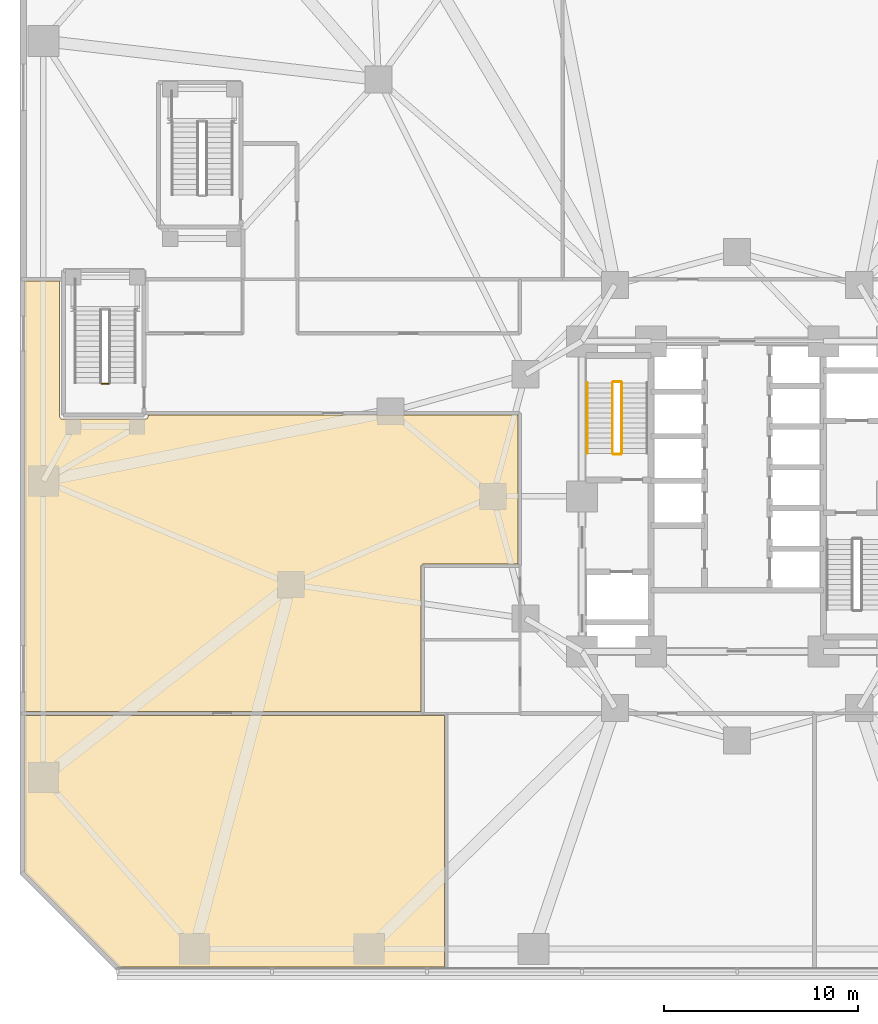
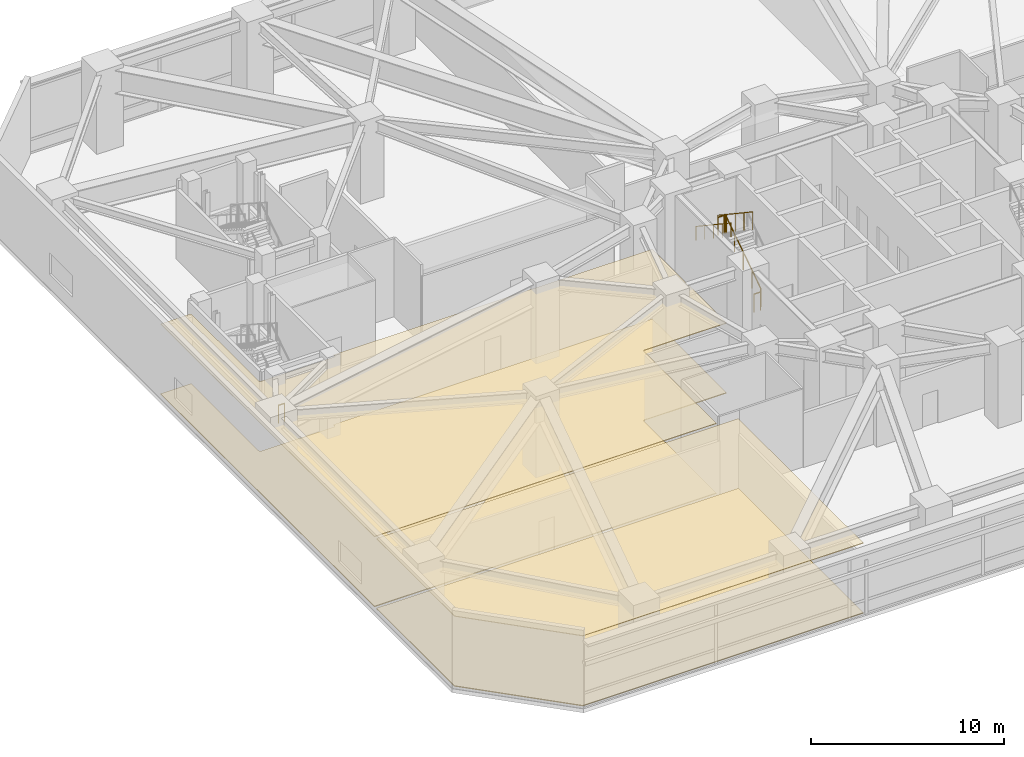
# One storey, part 23 of 28: 6 railings, 4 coverings.
"""IFC4 building model written with IfcOpenShell, lengths in metres."""

from ifc_helpers import new_model, si_unit, direction, frame, origin, origin_2d, place, context, subcontext, project, spatial, polyline, circle, outline, extrude, material, layer, layer_set, type_object, element, save


model = new_model("IFC4")

# Units and contexts
model_context = context("Model", 3, precision=1e-05, world=origin(), true_north=direction((0.0, 1.0)))
body_context = subcontext(model_context, "Body", "Model", "MODEL_VIEW")
ifc_project = project(units=[si_unit("LENGTHUNIT", "METRE"), si_unit("AREAUNIT", "SQUARE_METRE"), si_unit("VOLUMEUNIT", "CUBIC_METRE"), si_unit("PLANEANGLEUNIT", "RADIAN"), si_unit("MASSUNIT", "GRAM", prefix="KILO")], contexts=[model_context])

# Site, building, storey
site_placement = place(None, origin())
site = spatial("IfcSite", under=ifc_project, at=site_placement, CompositionType="ELEMENT")
building_placement = place(site_placement, origin())
building = spatial("IfcBuilding", under=site, at=building_placement, Name="Terralouvre Media Tower", CompositionType="ELEMENT")
storey_placement = place(building_placement, frame((0.0, 0.0, 10.39990234375)))
storey = spatial("IfcBuildingStorey", under=building, at=storey_placement, Name="L02", CompositionType="ELEMENT", Elevation=10.39990234375)

# Coverings
ifc_material_1 = material(Name="Resilient elastomer acoustic broadcast studio flooring")
ifc_layer_1 = layer(ifc_material_1, 0.050048828125, Name="Broadcast Studio Acoustic Floating Floor FL-AC1")
ifc_layer_set_1 = layer_set([ifc_layer_1], Name="Resilient elastomer acoustic broadcast studio flooring")
covering_type_1 = type_object("IfcCoveringType", Name="Broadcast Studio Acoustic Floating Floor FL-AC1", PredefinedType="FLOORING", material=ifc_layer_set_1)
covering_1_placement = place(storey_placement, origin())
element("IfcCovering", 1, at=covering_1_placement, inside=storey, type_object=covering_type_1, Name="L02 L02 Master Control Room 1 Acoustic Floating Floor", PredefinedType="FLOORING", context=body_context, shape_type="SweptSolid", body=[
    extrude(outline(polyline([(-16.300048828125, -3.60009765625), (-16.299560546875, -3.590087890625), (-16.298095703125, -3.58056640625), (-16.295654296875, -3.571044921875), (-16.29248046875, -3.561767578125), (-16.2880859375, -3.552978515625), (-16.283203125, -3.54443359375), (-16.27734375, -3.53662109375), (-16.270751953125, -3.529296875), (-16.263427734375, -3.522705078125), (-16.255615234375, -3.516845703125), (-16.2470703125, -3.51171875), (-16.23828125, -3.507568359375), (-16.22900390625, -3.50439453125), (-16.219482421875, -3.501953125), (-16.209716796875, -3.50048828125), (-16.199951171875, -3.5), (-11.300048828125, -3.5), (-11.300048828125, 4.199951171875), (-30.39990234375, 4.199951171875), (-30.39990234375, 4.10009765625), (-30.400390625, 4.090087890625), (-30.40185546875, 4.08056640625), (-30.404296875, 4.071044921875), (-30.40771484375, 4.061767578125), (-30.411865234375, 4.052978515625), (-30.4169921875, 4.04443359375), (-30.422607421875, 4.03662109375), (-30.42919921875, 4.029296875), (-30.4365234375, 4.022705078125), (-30.4443359375, 4.016845703125), (-30.452880859375, 4.01171875), (-30.461669921875, 4.007568359375), (-30.470947265625, 4.00439453125), (-30.48046875, 4.001953125), (-30.490234375, 4.00048828125), (-30.5, 4.0), (-34.85009765625, 4.0), (-34.85986328125, 4.00048828125), (-34.869384765625, 4.001953125), (-34.87890625, 4.00439453125), (-34.88818359375, 4.007568359375), (-34.897216796875, 4.01171875), (-34.905517578125, 4.016845703125), (-34.913330078125, 4.022705078125), (-34.920654296875, 4.029296875), (-34.92724609375, 4.03662109375), (-34.93310546875, 4.04443359375), (-34.938232421875, 4.052978515625), (-34.9423828125, 4.061767578125), (-34.94580078125, 4.071044921875), (-34.947998046875, 4.08056640625), (-34.949462890625, 4.090087890625), (-34.949951171875, 4.10009765625), (-34.949951171875, 11.10009765625), (-36.780029296875, 11.10009765625), (-36.780029296875, -11.10009765625), (-16.300048828125, -11.10009765625), (-16.300048828125, -3.60009765625)])), origin(), (0.0, 0.0, 1.0), 0.050048828125),
])
covering_2_placement = place(storey_placement, origin())
element("IfcCovering", 2, at=covering_2_placement, inside=storey, type_object=covering_type_1, Name="L02 L02 Studio Production Control Room 2 Acoustic Floating Floor", PredefinedType="FLOORING", context=body_context, shape_type="SweptSolid", body=[
    extrude(outline(polyline([(-15.10009765625, -24.280029296875), (-15.10009765625, -11.300048828125), (-36.780029296875, -11.300048828125), (-36.780029296875, -19.40869140625), (-31.90869140625, -24.280029296875), (-15.10009765625, -24.280029296875)])), origin(), (0.0, 0.0, 1.0), 0.050048828125),
])
ifc_material_2 = material(Name="Perforated aluminium acoustic ceiling baffle", Category="aluminium")
ifc_layer_2 = layer(ifc_material_2, 0.0400390625, Name="Perforated Acoustic Metal Tile Ceiling CL-AC1")
ifc_layer_set_2 = layer_set([ifc_layer_2], Name="Perforated aluminium acoustic ceiling baffle")
covering_type_2 = type_object("IfcCoveringType", Name="Perforated Acoustic Metal Tile Ceiling CL-AC1", PredefinedType="CEILING", material=ifc_layer_set_2)
covering_3_placement = place(storey_placement, frame((0.0, 0.0, 4.43017578125)))
element("IfcCovering", 3, at=covering_3_placement, inside=storey, type_object=covering_type_2, Name="L02 L02 Master Control Room 1 Acoustic Ceiling", PredefinedType="CEILING", context=body_context, shape_type="SweptSolid", body=[
    extrude(outline(polyline([(-16.300048828125, -3.60009765625), (-16.299560546875, -3.590087890625), (-16.298095703125, -3.58056640625), (-16.295654296875, -3.571044921875), (-16.29248046875, -3.561767578125), (-16.2880859375, -3.552978515625), (-16.283203125, -3.54443359375), (-16.27734375, -3.53662109375), (-16.270751953125, -3.529296875), (-16.263427734375, -3.522705078125), (-16.255615234375, -3.516845703125), (-16.2470703125, -3.51171875), (-16.23828125, -3.507568359375), (-16.22900390625, -3.50439453125), (-16.219482421875, -3.501953125), (-16.209716796875, -3.50048828125), (-16.199951171875, -3.5), (-11.300048828125, -3.5), (-11.300048828125, 4.199951171875), (-30.39990234375, 4.199951171875), (-30.39990234375, 4.10009765625), (-30.400390625, 4.090087890625), (-30.40185546875, 4.08056640625), (-30.404296875, 4.071044921875), (-30.40771484375, 4.061767578125), (-30.411865234375, 4.052978515625), (-30.4169921875, 4.04443359375), (-30.422607421875, 4.03662109375), (-30.42919921875, 4.029296875), (-30.4365234375, 4.022705078125), (-30.4443359375, 4.016845703125), (-30.452880859375, 4.01171875), (-30.461669921875, 4.007568359375), (-30.470947265625, 4.00439453125), (-30.48046875, 4.001953125), (-30.490234375, 4.00048828125), (-30.5, 4.0), (-34.85009765625, 4.0), (-34.85986328125, 4.00048828125), (-34.869384765625, 4.001953125), (-34.87890625, 4.00439453125), (-34.88818359375, 4.007568359375), (-34.897216796875, 4.01171875), (-34.905517578125, 4.016845703125), (-34.913330078125, 4.022705078125), (-34.920654296875, 4.029296875), (-34.92724609375, 4.03662109375), (-34.93310546875, 4.04443359375), (-34.938232421875, 4.052978515625), (-34.9423828125, 4.061767578125), (-34.94580078125, 4.071044921875), (-34.947998046875, 4.08056640625), (-34.949462890625, 4.090087890625), (-34.949951171875, 4.10009765625), (-34.949951171875, 11.10009765625), (-36.780029296875, 11.10009765625), (-36.780029296875, -11.10009765625), (-16.300048828125, -11.10009765625), (-16.300048828125, -3.60009765625)])), origin(), (0.0, 0.0, 1.0), 0.0400390625),
])
covering_4_placement = place(storey_placement, frame((0.0, 0.0, 4.43017578125)))
element("IfcCovering", 4, at=covering_4_placement, inside=storey, type_object=covering_type_2, Name="L02 L02 Studio Production Control Room 2 Acoustic Ceiling", PredefinedType="CEILING", context=body_context, shape_type="SweptSolid", body=[
    extrude(outline(polyline([(-15.10009765625, -24.280029296875), (-15.10009765625, -11.300048828125), (-36.780029296875, -11.300048828125), (-36.780029296875, -19.40869140625), (-31.90869140625, -24.280029296875), (-15.10009765625, -24.280029296875)])), origin(), (0.0, 0.0, 1.0), 0.0400390625),
])

# Railings
ifc_material_3 = material(Name="Stainless steel 316 handrail and balustrade", Category="steel")
ifc_layer_3 = layer(ifc_material_3, 0.050048828125, Name="Stair Flight Wall Handrail HR-INT1")
ifc_layer_set_3 = layer_set([ifc_layer_3], Name="Stainless steel 316 handrail and balustrade")
railing_type_1 = type_object("IfcRailingType", Name="Stair Flight Wall Handrail HR-INT1", PredefinedType="HANDRAIL", material=ifc_layer_set_3)
railing_1_placement = place(storey_placement, frame((-7.72998046875, 5.860107421875, 2.7734375)))
element("IfcRailing", 5, at=railing_1_placement, inside=storey, type_object=railing_type_1, Name="L02 ST-01 stair handrail 2", PredefinedType="HANDRAIL", context=body_context, shape_type="SweptSolid", body=[
    extrude(circle(Radius=0.02392578125, at=origin_2d()), frame((0.0, 0.0, 0.8759765625), z_axis=(0.0, -0.832050294338, 0.554700196225), x_axis=(1.0, 0.0, 0.0)), (0.0, 0.0, 1.0), 4.375),
    extrude(circle(Radius=0.02099609375, at=origin_2d()), origin(), (0.0, 0.0, 1.0), 0.851806640625),
    extrude(circle(Radius=0.02099609375, at=origin_2d()), frame((0.0, -0.91015625, 0.606689453125)), (0.0, 0.0, 1.0), 0.851806640625),
    extrude(circle(Radius=0.02099609375, at=origin_2d()), frame((0.0, -1.820068359375, 1.21337890625)), (0.0, 0.0, 1.0), 0.851806640625),
    extrude(circle(Radius=0.02099609375, at=origin_2d()), frame((0.0, -2.72998046875, 1.820068359375)), (0.0, 0.0, 1.0), 0.851806640625),
    extrude(circle(Radius=0.02099609375, at=origin_2d()), frame((0.0, -3.64013671875, 2.4267578125)), (0.0, 0.0, 1.0), 0.851806640625),
])
ifc_material_4 = material(Name="Stainless steel 316 handrail and balustrade", Category="steel")
ifc_layer_4 = layer(ifc_material_4, 0.050048828125, Name="Stairwell Safety Guardrail GR-INT1")
ifc_layer_set_4 = layer_set([ifc_layer_4], Name="Stainless steel 316 handrail and balustrade")
railing_type_2 = type_object("IfcRailingType", Name="Stairwell Safety Guardrail GR-INT1", PredefinedType="GUARDRAIL", material=ifc_layer_set_4)
railing_2_placement = place(storey_placement, frame((-5.949951171875, 2.219970703125, 0.17333984375)))
element("IfcRailing", 6, at=railing_2_placement, inside=storey, type_object=railing_type_2, Name="L02 ST-01 stair guard 1", PredefinedType="GUARDRAIL", context=body_context, shape_type="SweptSolid", body=[
    extrude(circle(Radius=0.02392578125, at=origin_2d()), frame((0.0, 0.0, 1.1259765625), z_axis=(0.0, 0.832050294338, 0.554700196225), x_axis=(-1.0, 0.0, 0.0)), (0.0, 0.0, 1.0), 4.375),
    extrude(circle(Radius=0.02099609375, at=origin_2d()), origin(), (0.0, 0.0, 1.0), 1.101806640625),
    extrude(circle(Radius=0.02099609375, at=origin_2d()), frame((0.0, 0.91015625, 0.606689453125)), (0.0, 0.0, 1.0), 1.101806640625),
    extrude(circle(Radius=0.02099609375, at=origin_2d()), frame((0.0, 1.820068359375, 1.21337890625)), (0.0, 0.0, 1.0), 1.101806640625),
    extrude(circle(Radius=0.02099609375, at=origin_2d()), frame((0.0, 2.72998046875, 1.820068359375)), (0.0, 0.0, 1.0), 1.101806640625),
    extrude(circle(Radius=0.02099609375, at=origin_2d()), frame((0.0, 3.64013671875, 2.4267578125)), (0.0, 0.0, 1.0), 1.101806640625),
])
railing_3_placement = place(storey_placement, frame((-6.0, 5.909912109375, 2.60009765625)))
element("IfcRailing", 7, at=railing_3_placement, inside=storey, type_object=railing_type_2, Name="L02 ST-01 stair guard 2", PredefinedType="GUARDRAIL", context=body_context, shape_type="SweptSolid", body=[
    extrude(circle(Radius=0.02392578125, at=origin_2d()), frame((0.0, 0.0, 1.1259765625), z_axis=(-1.0, 0.0, 0.0), x_axis=(0.0, -1.0, 0.0)), (0.0, 0.0, 1.0), 0.3798828125),
    extrude(circle(Radius=0.02099609375, at=origin_2d()), origin(), (0.0, 0.0, 1.0), 1.101806640625),
    extrude(circle(Radius=0.02099609375, at=origin_2d()), frame((-0.3798828125, 0.0, 0.0)), (0.0, 0.0, 1.0), 1.101806640625),
])
railing_4_placement = place(storey_placement, frame((-6.429931640625, 5.860107421875, 2.7734375)))
element("IfcRailing", 8, at=railing_4_placement, inside=storey, type_object=railing_type_2, Name="L02 ST-01 stair guard 3", PredefinedType="GUARDRAIL", context=body_context, shape_type="SweptSolid", body=[
    extrude(circle(Radius=0.02392578125, at=origin_2d()), frame((0.0, 0.0, 1.1259765625), z_axis=(0.0, -0.832050294338, 0.554700196225), x_axis=(1.0, 0.0, 0.0)), (0.0, 0.0, 1.0), 4.375),
    extrude(circle(Radius=0.02099609375, at=origin_2d()), origin(), (0.0, 0.0, 1.0), 1.101806640625),
    extrude(circle(Radius=0.02099609375, at=origin_2d()), frame((0.0, -0.91015625, 0.606689453125)), (0.0, 0.0, 1.0), 1.101806640625),
    extrude(circle(Radius=0.02099609375, at=origin_2d()), frame((0.0, -1.820068359375, 1.21337890625)), (0.0, 0.0, 1.0), 1.101806640625),
    extrude(circle(Radius=0.02099609375, at=origin_2d()), frame((0.0, -2.72998046875, 1.820068359375)), (0.0, 0.0, 1.0), 1.101806640625),
    extrude(circle(Radius=0.02099609375, at=origin_2d()), frame((0.0, -3.64013671875, 2.4267578125)), (0.0, 0.0, 1.0), 1.101806640625),
])
railing_5_placement = place(storey_placement, frame((-6.0, 2.169921875, 0.0)))
element("IfcRailing", 9, at=railing_5_placement, inside=storey, type_object=railing_type_2, Name="L02 ST-01 stair guard 4", PredefinedType="GUARDRAIL", context=body_context, shape_type="SweptSolid", body=[
    extrude(circle(Radius=0.02392578125, at=origin_2d()), frame((0.0, 0.0, 1.1259765625), z_axis=(-1.0, 0.0, 0.0), x_axis=(0.0, -1.0, 0.0)), (0.0, 0.0, 1.0), 0.3798828125),
    extrude(circle(Radius=0.02099609375, at=origin_2d()), origin(), (0.0, 0.0, 1.0), 1.101806640625),
    extrude(circle(Radius=0.02099609375, at=origin_2d()), frame((-0.3798828125, 0.0, 0.0)), (0.0, 0.0, 1.0), 1.101806640625),
])
railing_6_placement = place(storey_placement, frame((-32.419921875, 5.800048828125, 0.0)))
element("IfcRailing", 10, at=railing_6_placement, inside=storey, type_object=railing_type_2, Name="L02 ST-03 stair guard 4", PredefinedType="GUARDRAIL", context=body_context, shape_type="SweptSolid", body=[
    extrude(circle(Radius=0.02392578125, at=origin_2d()), frame((0.0, 0.0, 1.1259765625), z_axis=(-1.0, 0.0, 0.0), x_axis=(0.0, -1.0, 0.0)), (0.0, 0.0, 1.0), 0.360107421875),
    extrude(circle(Radius=0.02099609375, at=origin_2d()), origin(), (0.0, 0.0, 1.0), 1.101806640625),
    extrude(circle(Radius=0.02099609375, at=origin_2d()), frame((-0.360107421875, 0.0, 0.0)), (0.0, 0.0, 1.0), 1.101806640625),
])

save(model, "model.ifc")
